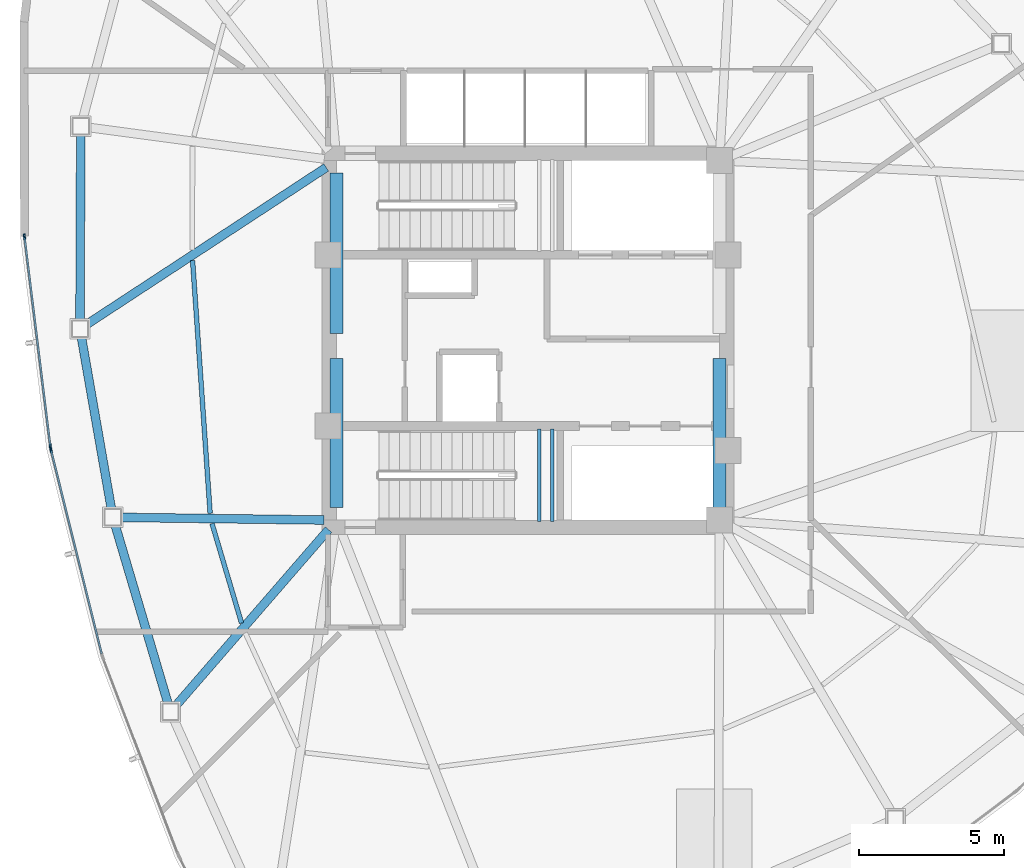
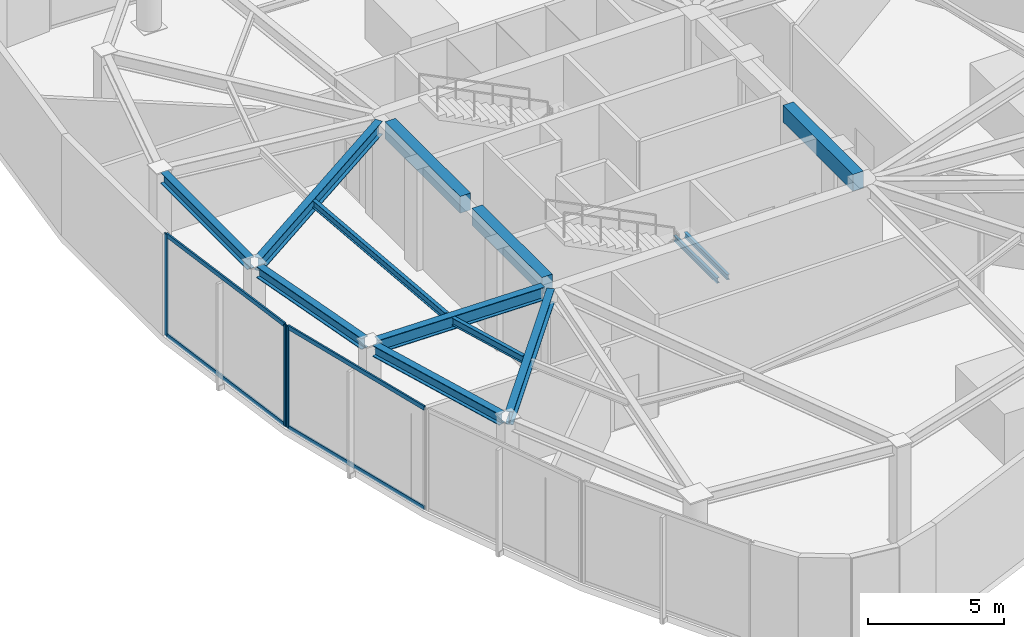
# One storey, part 4 of 17: 13 beams, 7 members, 2 elements without a shape of their own.
"""IFC4 building model written with IfcOpenShell, lengths in metres."""

from ifc_helpers import new_model, si_unit, direction, frame, origin, origin_2d, place, context, subcontext, project, spatial, rectangle, hollow_rectangle, i_section, extrude, source, transform, mapped, material, layer, layer_set, material_profile, profile_set, type_object, type_shapes, element, aggregate, save


model = new_model("IFC4")

# Units and contexts
model_context = context("Model", 3, precision=1e-05, world=origin(), true_north=direction((0.0, 1.0)))
body_context = subcontext(model_context, "Body", "Model", "MODEL_VIEW")
ifc_project = project(units=[si_unit("LENGTHUNIT", "METRE"), si_unit("AREAUNIT", "SQUARE_METRE"), si_unit("VOLUMEUNIT", "CUBIC_METRE"), si_unit("PLANEANGLEUNIT", "RADIAN"), si_unit("MASSUNIT", "GRAM", prefix="KILO")], contexts=[model_context])

# Site, building, storey
site_placement = place(None, origin())
site = spatial("IfcSite", under=ifc_project, at=site_placement, CompositionType="ELEMENT")
building_placement = place(site_placement, origin())
building = spatial("IfcBuilding", under=site, at=building_placement, Name="Tavelor Broadcast Tower", CompositionType="ELEMENT")
storey_placement = place(building_placement, frame((0.0, 0.0, 204.14990234375)))
storey = spatial("IfcBuildingStorey", under=building, at=storey_placement, Name="L49", CompositionType="ELEMENT", Elevation=204.14990234375)

# Beams
ifc_material_1 = material(Name="Concrete C40/50", Category="concrete")
ifc_material_profile_1 = material_profile(ifc_material_1, rectangle(XDim=0.449951171875, YDim=0.75, at=origin_2d()), Name="RC 450x750")
ifc_profile_set_1 = profile_set([ifc_material_profile_1], Name="Concrete C40/50")
beam_type_1 = type_object("IfcBeamType", Name="Basement Core Trim Beam 450x750", PredefinedType="BEAM", material=ifc_profile_set_1)
beam_1_placement = place(storey_placement, frame((43.39990234375, 45.23193359375, 4.175048828125), z_axis=(0.0, 1.0, 0.0), x_axis=(-1.0, 0.0, 0.0)))
element("IfcBeam", 1, at=beam_1_placement, inside=storey, type_object=beam_type_1, Name="L49 Core West-N Tie Girder", PredefinedType="BEAM", context=body_context, shape_type="SweptSolid", body=[
    extrude(rectangle(XDim=0.449951171875, YDim=0.75, at=origin_2d()), origin(), (0.0, 0.0, 1.0), 5.5361328125),
])
for number, where, z_axis, x_axis, name in (
    (2, (43.39990234375, 39.23193359375, 4.175048828125), (0.0, 1.0, 0.0), (-1.0, 0.0, 0.0), "L49 Core West-S Tie Girder"),
    (3, (56.60009765625, 39.23193359375, 4.175048828125), (0.0, 1.0, 0.0), (-1.0, 0.0, 0.0), "L49 Core East-S Tie Girder"),
):
    element("IfcBeam", number, at=place(storey_placement, frame(where, z_axis=z_axis, x_axis=x_axis)), inside=storey, type_object=beam_type_1, Name=name, PredefinedType="BEAM", context=body_context, shape_type="SweptSolid", body=[
        extrude(rectangle(XDim=0.449951171875, YDim=0.75, at=origin_2d()), origin(), (0.0, 0.0, 1.0), 5.135986328125),
    ])
ifc_material_2 = material(Name="Steel S355", Category="steel")
ifc_material_profile_2 = material_profile(ifc_material_2, i_section(OverallWidth=0.159912109375, OverallDepth=0.330078125, WebThickness=0.007568359375, FlangeThickness=0.011474609375, at=origin_2d()), Name="IPE 330")
ifc_profile_set_2 = profile_set([ifc_material_profile_2], Name="Steel S355")
beam_type_2 = type_object("IfcBeamType", Name="Composite Floor Joist T4 IPE 330", PredefinedType="JOIST", material=ifc_profile_set_2)
beam_2_placement = place(storey_placement, frame((38.430419921875, 47.755126953125, 4.385009765625), z_axis=(0.069281460066, -0.997597152808, 0.0), x_axis=(0.997597152808, 0.069281460066, 0.0)))
element("IfcBeam", 4, at=beam_2_placement, inside=storey, type_object=beam_type_2, Name="L49 Secondary Composite Floor Joist 04", PredefinedType="JOIST", context=body_context, shape_type="SweptSolid", body=[
    extrude(i_section(OverallWidth=0.159912109375, OverallDepth=0.330078125, WebThickness=0.007568359375, FlangeThickness=0.011474609375, at=origin_2d()), origin(), (0.0, 0.0, 1.0), 8.7392578125),
])
beam_3_placement = place(storey_placement, frame((39.10009765625, 38.682861328125, 4.385009765625), z_axis=(0.284738295298, -0.958605290613, 0.0), x_axis=(0.958605290613, 0.284738295298, 0.0)))
element("IfcBeam", 5, at=beam_3_placement, inside=storey, type_object=beam_type_2, Name="L49 Secondary Composite Floor Joist 05", PredefinedType="JOIST", context=body_context, shape_type="SweptSolid", body=[
    extrude(i_section(OverallWidth=0.159912109375, OverallDepth=0.330078125, WebThickness=0.007568359375, FlangeThickness=0.011474609375, at=origin_2d()), origin(), (0.0, 0.0, 1.0), 3.58056640625),
])
ifc_material_profile_3 = material_profile(ifc_material_2, i_section(OverallWidth=0.300048828125, OverallDepth=0.5, WebThickness=0.014404296875, FlangeThickness=0.028076171875, at=origin_2d()), Name="HEB 500")
ifc_profile_set_3 = profile_set([ifc_material_profile_3], Name="Steel S355")
beam_type_3 = type_object("IfcBeamType", Name="Perimeter Spandrel Beam T4 HEB 500", PredefinedType="SPANDREL", material=ifc_profile_set_3)
beam_4_placement = place(storey_placement, frame((34.573974609375, 52.09130859375, 4.300048828125), z_axis=(-0.004117073981, -0.999991524815, 0.0), x_axis=(0.999991524815, -0.004117073981, 0.0)))
element("IfcBeam", 6, at=beam_4_placement, inside=storey, type_object=beam_type_3, Name="L49 Framed-Tube Ring Spandrel 03", PredefinedType="SPANDREL", context=body_context, shape_type="SweptSolid", body=[
    extrude(i_section(OverallWidth=0.300048828125, OverallDepth=0.5, WebThickness=0.014404296875, FlangeThickness=0.028076171875, at=origin_2d()), origin(), (0.0, 0.0, 1.0), 6.404296875),
])
beam_5_placement = place(storey_placement, frame((34.595947265625, 45.115478515625, 4.300048828125), z_axis=(0.171987908601, -0.985099060651, 0.0), x_axis=(0.985099060651, 0.171987908601, 0.0)))
element("IfcBeam", 7, at=beam_5_placement, inside=storey, type_object=beam_type_3, Name="L49 Framed-Tube Ring Spandrel 04", PredefinedType="SPANDREL", context=body_context, shape_type="SweptSolid", body=[
    extrude(i_section(OverallWidth=0.300048828125, OverallDepth=0.5, WebThickness=0.014404296875, FlangeThickness=0.028076171875, at=origin_2d()), origin(), (0.0, 0.0, 1.0), 6.021728515625),
])
beam_6_placement = place(storey_placement, frame((35.7626953125, 38.623779296875, 4.300048828125), z_axis=(0.283962764381, -0.958835308301, 0.0), x_axis=(0.958835308301, 0.283962764381, 0.0)))
element("IfcBeam", 8, at=beam_6_placement, inside=storey, type_object=beam_type_3, Name="L49 Framed-Tube Ring Spandrel 05", PredefinedType="SPANDREL", context=body_context, shape_type="SweptSolid", body=[
    extrude(i_section(OverallWidth=0.300048828125, OverallDepth=0.5, WebThickness=0.014404296875, FlangeThickness=0.028076171875, at=origin_2d()), origin(), (0.0, 0.0, 1.0), 6.421630859375),
])
ifc_material_profile_4 = material_profile(ifc_material_2, i_section(OverallWidth=0.300048828125, OverallDepth=0.590087890625, WebThickness=0.012939453125, FlangeThickness=0.02490234375, at=origin_2d()), Name="HEA 600")
ifc_profile_set_4 = profile_set([ifc_material_profile_4], Name="Steel S355")
beam_type_4 = type_object("IfcBeamType", Name="Radial Floor Girder T4 HEA 600", PredefinedType="BEAM", material=ifc_profile_set_4)
beam_7_placement = place(storey_placement, frame((43.038818359375, 50.963134765625, 4.255126953125), z_axis=(-0.83645565271, -0.548034616652, 0.0), x_axis=(0.548034616652, -0.83645565271, 0.0)))
element("IfcBeam", 9, at=beam_7_placement, inside=storey, type_object=beam_type_4, Name="L49 Radial Primary Floor Girder 04", PredefinedType="BEAM", context=body_context, shape_type="SweptSolid", body=[
    extrude(i_section(OverallWidth=0.300048828125, OverallDepth=0.590087890625, WebThickness=0.012939453125, FlangeThickness=0.02490234375, at=origin_2d()), origin(), (0.0, 0.0, 1.0), 9.86474609375),
])
beam_8_placement = place(storey_placement, frame((42.968017578125, 38.8056640625, 4.255126953125), z_axis=(-0.99991627243, 0.012940175006, 0.0), x_axis=(-0.012940175006, -0.99991627243, 0.0)))
element("IfcBeam", 10, at=beam_8_placement, inside=storey, type_object=beam_type_4, Name="L49 Radial Primary Floor Girder 05", PredefinedType="BEAM", context=body_context, shape_type="SweptSolid", body=[
    extrude(i_section(OverallWidth=0.300048828125, OverallDepth=0.590087890625, WebThickness=0.012939453125, FlangeThickness=0.02490234375, at=origin_2d()), origin(), (0.0, 0.0, 1.0), 6.99951171875),
])
beam_9_placement = place(storey_placement, frame((43.116943359375, 38.4736328125, 4.255126953125), z_axis=(-0.655167826376, -0.755483367972, 0.0), x_axis=(0.755483367972, -0.655167826376, 0.0)))
element("IfcBeam", 11, at=beam_9_placement, inside=storey, type_object=beam_type_4, Name="L49 Radial Primary Floor Girder 06", PredefinedType="BEAM", context=body_context, shape_type="SweptSolid", body=[
    extrude(i_section(OverallWidth=0.300048828125, OverallDepth=0.590087890625, WebThickness=0.012939453125, FlangeThickness=0.02490234375, at=origin_2d()), origin(), (0.0, 0.0, 1.0), 8.02880859375),
])
ifc_material_profile_5 = material_profile(ifc_material_2, i_section(OverallWidth=0.1201171875, OverallDepth=0.239990234375, WebThickness=0.006103515625, FlangeThickness=0.009765625, at=origin_2d()), Name="IPE 240")
ifc_profile_set_5 = profile_set([ifc_material_profile_5], Name="Steel S355")
beam_type_5 = type_object("IfcBeamType", Name="Stairwell Landing Support Trimmer Beam IPE240", PredefinedType="BEAM", material=ifc_profile_set_5)
for number, where, z_axis, x_axis, name in (
    (12, (50.385009765625, 38.760009765625, 2.18505859375), (0.0, 1.0, 0.0), (-1.0, 0.0, 0.0), "L49 Stair Landing Support Beam 345"),
    (13, (50.824951171875, 38.760009765625, 2.18505859375), (0.0, 1.0, 0.0), (-1.0, 0.0, 0.0), "L49 Stair Landing Support Beam 346"),
):
    element("IfcBeam", number, at=place(storey_placement, frame(where, z_axis=z_axis, x_axis=x_axis)), inside=storey, type_object=beam_type_5, Name=name, PredefinedType="BEAM", context=body_context, shape_type="SweptSolid", body=[
        extrude(i_section(OverallWidth=0.1201171875, OverallDepth=0.239990234375, WebThickness=0.006103515625, FlangeThickness=0.009765625, at=origin_2d()), origin(), (0.0, 0.0, 1.0), 3.179931640625),
    ])

# Curtain wall, members
ifc_material_3 = material(Name="Architectural Anodized Aluminium", Category="aluminium")
ifc_layer = layer(ifc_material_3, 0.18994140625)
ifc_layer_set = layer_set([ifc_layer], Name="Architectural Anodized Aluminium")
curtain_wall_type = type_object("IfcCurtainWallType", Name="Tower Mid-Zone Acoustic Curtain Wall CW03", PredefinedType="NOTDEFINED", material=ifc_layer_set)
curtain_wall_1_placement = place(storey_placement, origin())
curtain_wall_1 = element("IfcCurtainWall", 14, at=curtain_wall_1_placement, inside=storey, type_object=curtain_wall_type, Name="L49 Curtain Wall CW03 Run 529", PredefinedType="NOTDEFINED")
ifc_material_profile_6 = material_profile(ifc_material_3, hollow_rectangle(XDim=0.068115234375, YDim=0.18994140625, WallThickness=0.02197265625, at=origin_2d()), Name="RHS 68x190x22")
ifc_profile_set_6 = profile_set([ifc_material_profile_6], Name="Architectural Anodized Aluminium")
member_type_1 = type_object("IfcMemberType", Name="CW03 Extruded Aluminium Mullion 68x190", PredefinedType="MULLION", material=ifc_profile_set_6)
shared_shape_1 = source(origin(), body_context, "Body", "SweptSolid", [
    extrude(hollow_rectangle(XDim=0.068115234375, YDim=0.18994140625, WallThickness=0.02197265625, at=origin_2d()), origin(), (0.0, 0.0, 1.0), 4.550048828125),
])
type_shapes(member_type_1, [shared_shape_1])
member_1_placement = place(storey_placement, frame((32.63330078125, 48.5771484375, 0.0), z_axis=(0.0, 0.0, 1.0), x_axis=(0.992494046555, 0.122292957907, 0.0)))
member_1 = element("IfcMember", 15, at=member_1_placement, type_object=member_type_1, Name="CW03 mullion 1", PredefinedType="MULLION", context=body_context, shape_type="MappedRepresentation", body=[
    mapped(shared_shape_1, transform((0.0, 0.0, 0.0), scale=1.0)),
])
member_2_placement = place(storey_placement, frame((33.5263671875, 41.329345703125, 0.0), z_axis=(0.0, 0.0, 1.0), x_axis=(0.992494046555, 0.122292957907, 0.0)))
member_2 = element("IfcMember", 16, at=member_2_placement, type_object=member_type_1, Name="CW03 mullion 2", PredefinedType="MULLION", context=body_context, shape_type="MappedRepresentation", body=[
    mapped(shared_shape_1, transform((0.0, 0.0, 0.0), scale=1.0)),
])

# Curtain wall, member
curtain_wall_2_placement = place(storey_placement, origin())
curtain_wall_2 = element("IfcCurtainWall", 17, at=curtain_wall_2_placement, inside=storey, type_object=curtain_wall_type, Name="L49 Curtain Wall CW03 Run 530", PredefinedType="NOTDEFINED")
member_3_placement = place(storey_placement, frame((33.544189453125, 41.233154296875, 0.0), z_axis=(0.0, 0.0, 1.0), x_axis=(0.970397862527, 0.241511880461, 0.0)))
member_3 = element("IfcMember", 18, at=member_3_placement, type_object=member_type_1, Name="CW03 mullion 1", PredefinedType="MULLION", context=body_context, shape_type="MappedRepresentation", body=[
    mapped(shared_shape_1, transform((0.0, 0.0, 0.0), scale=1.0)),
])

# Member
ifc_material_profile_7 = material_profile(ifc_material_3, hollow_rectangle(XDim=0.068115234375, YDim=0.18994140625, WallThickness=0.02197265625, at=origin_2d()), Name="RHS 68x190x22")
ifc_profile_set_7 = profile_set([ifc_material_profile_7], Name="Architectural Anodized Aluminium")
member_type_2 = type_object("IfcMemberType", Name="CW03 Extruded Aluminium Transom 68x190", PredefinedType="USERDEFINED", material=ifc_profile_set_7)
shared_shape_2 = source(origin(), body_context, "Body", "SweptSolid", [
    extrude(hollow_rectangle(XDim=0.068115234375, YDim=0.18994140625, WallThickness=0.02197265625, at=origin_2d()), origin(), (0.0, 0.0, 1.0), 7.234619140625),
])
member_4_placement = place(storey_placement, frame((32.637451171875, 48.54345703125, 0.0341796875), z_axis=(0.12229430563, -0.99249388049, 0.0), x_axis=(0.99249388049, 0.12229430563, 0.0)))
member_4 = element("IfcMember", 19, at=member_4_placement, type_object=member_type_2, Name="CW03 transom 1.1", ObjectType="TRANSOM", PredefinedType="USERDEFINED", context=body_context, shape_type="MappedRepresentation", body=[
    mapped(shared_shape_2, transform((0.0, 0.0, 0.0), scale=1.0)),
])

member_5_placement = place(storey_placement, frame((32.637451171875, 48.54345703125, 4.51611328125), z_axis=(0.12229430563, -0.99249388049, 0.0), x_axis=(0.99249388049, 0.12229430563, 0.0)))
member_5 = element("IfcMember", 20, at=member_5_placement, type_object=member_type_2, Name="CW03 transom 1.2", ObjectType="TRANSOM", PredefinedType="USERDEFINED", context=body_context, shape_type="MappedRepresentation", body=[
    mapped(shared_shape_2, transform((0.0, 0.0, 0.0), scale=1.0)),
])

aggregate(curtain_wall_1, [member_1, member_2, member_4, member_5])

shared_shape_3 = source(origin(), body_context, "Body", "SweptSolid", [
    extrude(hollow_rectangle(XDim=0.068115234375, YDim=0.18994140625, WallThickness=0.02197265625, at=origin_2d()), origin(), (0.0, 0.0, 1.0), 7.2197265625),
])
type_shapes(member_type_2, [shared_shape_2, shared_shape_3])
member_6_placement = place(storey_placement, frame((33.552490234375, 41.2001953125, 0.0341796875), z_axis=(0.241509094543, -0.97039855588, 0.0), x_axis=(0.97039855588, 0.241509094543, 0.0)))
member_6 = element("IfcMember", 21, at=member_6_placement, type_object=member_type_2, Name="CW03 transom 1.1", ObjectType="TRANSOM", PredefinedType="USERDEFINED", context=body_context, shape_type="MappedRepresentation", body=[
    mapped(shared_shape_3, transform((0.0, 0.0, 0.0), scale=1.0)),
])

member_7_placement = place(storey_placement, frame((33.552490234375, 41.2001953125, 4.51611328125), z_axis=(0.241509094543, -0.97039855588, 0.0), x_axis=(0.97039855588, 0.241509094543, 0.0)))
member_7 = element("IfcMember", 22, at=member_7_placement, type_object=member_type_2, Name="CW03 transom 1.2", ObjectType="TRANSOM", PredefinedType="USERDEFINED", context=body_context, shape_type="MappedRepresentation", body=[
    mapped(shared_shape_3, transform((0.0, 0.0, 0.0), scale=1.0)),
])

aggregate(curtain_wall_2, [member_3, member_6, member_7])

save(model, "model.ifc")
